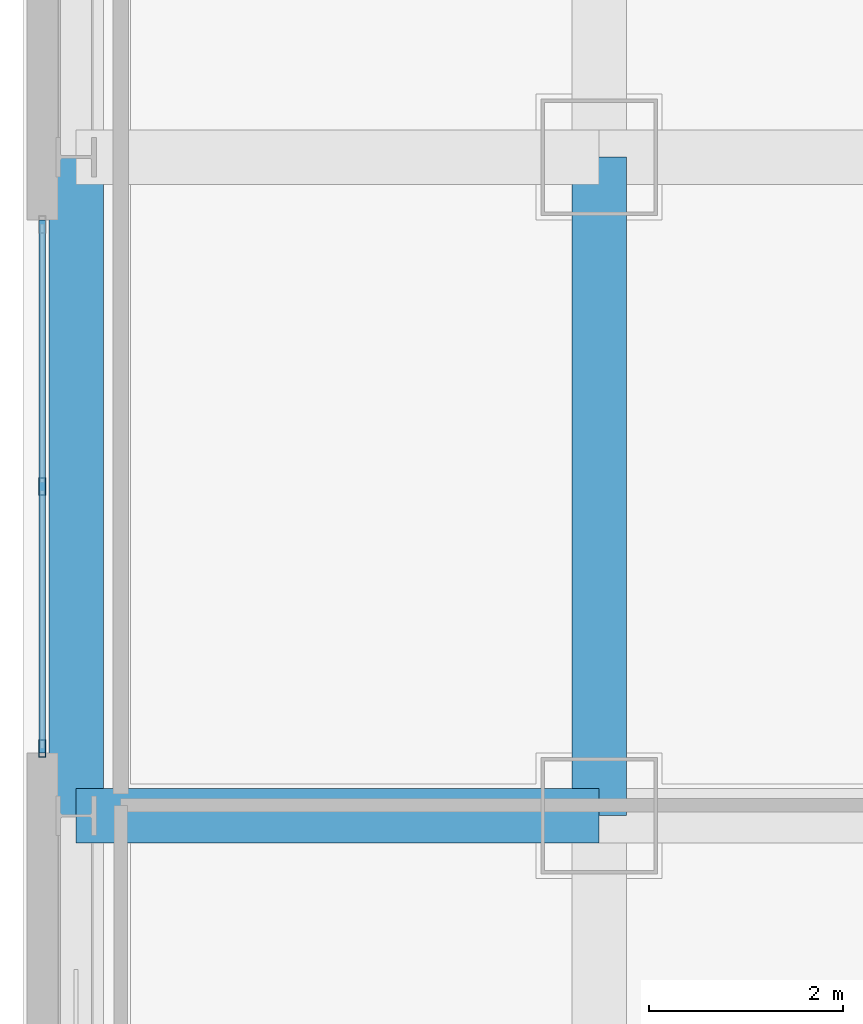
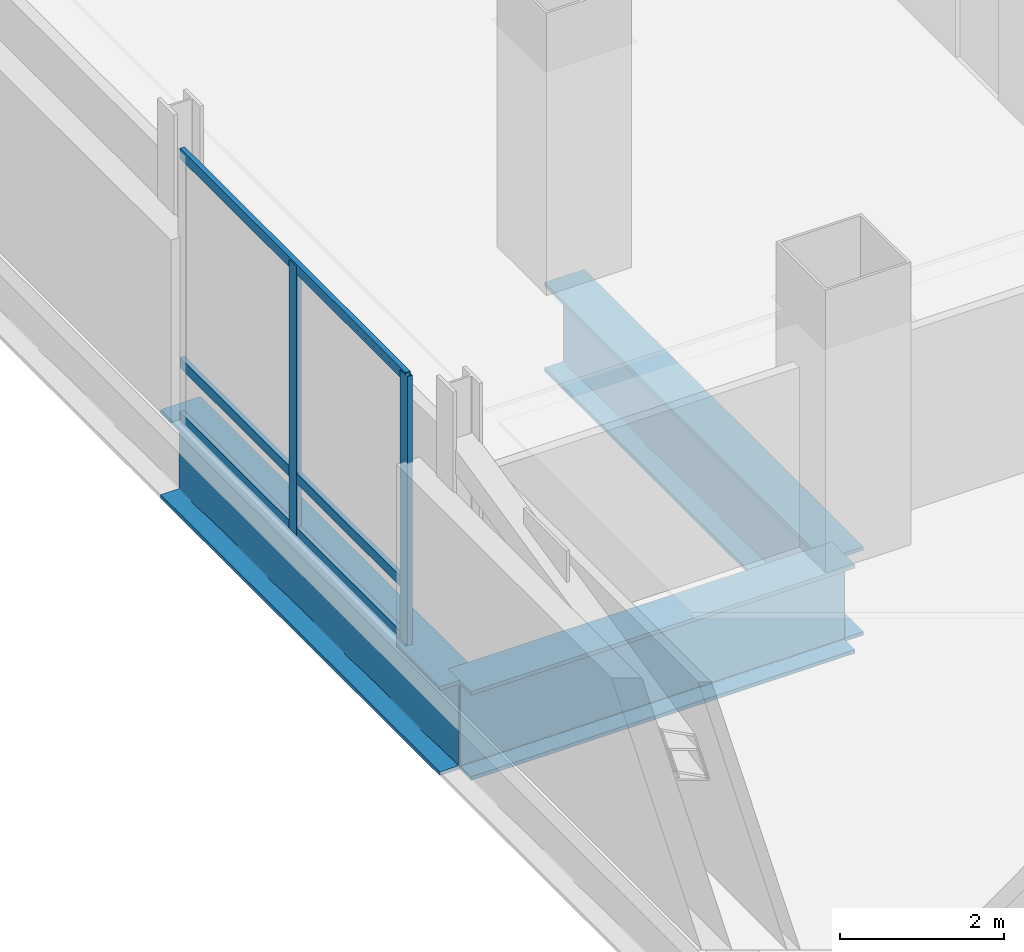
# One storey, part 3 of 28: 5 members, 3 beams, 1 element without a shape of its own.
"""IFC4 building model written with IfcOpenShell, lengths in metres."""

from ifc_helpers import new_model, si_unit, direction, frame, origin, origin_2d, place, context, subcontext, project, spatial, hollow_rectangle, i_section, extrude, material, material_profile, profile_set, type_object, element, aggregate, save


model = new_model("IFC4")

# Units and contexts
model_context = context("Model", 3, precision=1e-05, world=origin(), true_north=direction((0.0, 1.0)))
body_context = subcontext(model_context, "Body", "Model", "MODEL_VIEW")
ifc_project = project(units=[si_unit("LENGTHUNIT", "METRE"), si_unit("AREAUNIT", "SQUARE_METRE"), si_unit("VOLUMEUNIT", "CUBIC_METRE"), si_unit("PLANEANGLEUNIT", "RADIAN"), si_unit("MASSUNIT", "GRAM", prefix="KILO")], contexts=[model_context])

# Site, building, storey
site_placement = place(None, origin())
site = spatial("IfcSite", under=ifc_project, at=site_placement, CompositionType="ELEMENT")
building_placement = place(site_placement, origin())
building = spatial("IfcBuilding", under=site, at=building_placement, Name="Punatoya Terracotta Tower", CompositionType="ELEMENT")
storey_placement = place(building_placement, frame((0.0, 0.0, 317.39990234375)))
storey = spatial("IfcBuildingStorey", under=building, at=storey_placement, Name="L75", CompositionType="ELEMENT", Elevation=317.39990234375)

# Beams
ifc_material_1 = material(Name="Steel S460", Category="steel")
ifc_material_profile_1 = material_profile(ifc_material_1, i_section(OverallWidth=0.56005859375, OverallDepth=1.320068359375, WebThickness=0.035888671875, FlangeThickness=0.054931640625, FilletRadius=0.01806640625, at=origin_2d()))
ifc_profile_set_1 = profile_set([ifc_material_profile_1], Name="Steel S460")
beam_type = type_object("IfcBeamType", Name="BM-TG-BLK", PredefinedType="BEAM", material=ifc_profile_set_1)
beam_1_placement = place(storey_placement, frame((-19.10009765625, -3.39990234375, -0.93994140625), z_axis=(0.0, 1.0, 0.0), x_axis=(-1.0, 0.0, 0.0)))
element("IfcBeam", 1, at=beam_1_placement, inside=storey, type_object=beam_type, Name="BM-L75-RG-W2", PredefinedType="BEAM", context=body_context, shape_type="SweptSolid", body=[
    extrude(i_section(OverallWidth=0.56005859375, OverallDepth=1.320068359375, WebThickness=0.035888671875, FlangeThickness=0.054931640625, FilletRadius=0.01806640625, at=origin_2d()), origin(), (0.0, 0.0, 1.0), 6.7998046875),
])
beam_2_placement = place(storey_placement, frame((-24.5, -3.39990234375, -0.93994140625), z_axis=(1.0, 0.0, 0.0), x_axis=(0.0, 1.0, 0.0)))
element("IfcBeam", 2, at=beam_2_placement, inside=storey, type_object=beam_type, Name="BM-L75-CANT-W2", PredefinedType="BEAM", context=body_context, shape_type="SweptSolid", body=[
    extrude(i_section(OverallWidth=0.56005859375, OverallDepth=1.320068359375, WebThickness=0.035888671875, FlangeThickness=0.054931640625, FilletRadius=0.01806640625, at=origin_2d()), origin(), (0.0, 0.0, 1.0), 5.39990234375),
])
beam_3_placement = place(storey_placement, frame((-24.5, -3.39990234375, -0.93994140625), z_axis=(0.0, 1.0, 0.0), x_axis=(-1.0, 0.0, 0.0)))
element("IfcBeam", 3, at=beam_3_placement, inside=storey, type_object=beam_type, Name="BM-L75-PER-W2", PredefinedType="BEAM", context=body_context, shape_type="SweptSolid", body=[
    extrude(i_section(OverallWidth=0.56005859375, OverallDepth=1.320068359375, WebThickness=0.035888671875, FlangeThickness=0.054931640625, FilletRadius=0.01806640625, at=origin_2d()), origin(), (0.0, 0.0, 1.0), 6.7998046875),
])

# Curtain wall, members
ifc_material_2 = material(Name="Aluminium 6063-T6 + Double Low-E Glass", Category="aluminium")
curtain_wall_type = type_object("IfcCurtainWallType", Name="CW-OBS", PredefinedType="NOTDEFINED", material=ifc_material_2)
curtain_wall_placement = place(storey_placement, origin())
curtain_wall = element("IfcCurtainWall", 4, at=curtain_wall_placement, inside=storey, type_object=curtain_wall_type, Name="L75 Curtain Wall CW-L75-W13-1", PredefinedType="NOTDEFINED")
ifc_material_3 = material(Name="Aluminium 6063-T6", Category="aluminium")
ifc_material_profile_2 = material_profile(ifc_material_3, hollow_rectangle(XDim=0.070068359375, YDim=0.179931640625, WallThickness=0.00390625, at=origin_2d()))
ifc_profile_set_2 = profile_set([ifc_material_profile_2], Name="Aluminium 6063-T6")
member_type_1 = type_object("IfcMemberType", Name="CW-MUL-M3", PredefinedType="MULLION", material=ifc_profile_set_2)
member_1_placement = place(storey_placement, frame((-24.85009765625, 0.0, 0.0), z_axis=(0.0, 0.0, 1.0), x_axis=(1.0, 0.0, 0.0)))
member_1 = element("IfcMember", 5, at=member_1_placement, type_object=member_type_1, Name="CW-L75-W13-1 Mullion 01", PredefinedType="MULLION", context=body_context, shape_type="SweptSolid", body=[
    extrude(hollow_rectangle(XDim=0.070068359375, YDim=0.179931640625, WallThickness=0.00390625, at=origin_2d()), origin(), (0.0, 0.0, 1.0), 4.0),
])
member_2_placement = place(storey_placement, frame((-24.85009765625, -2.705078125, 0.0), z_axis=(0.0, 0.0, 1.0), x_axis=(1.0, 0.0, 0.0)))
member_2 = element("IfcMember", 6, at=member_2_placement, type_object=member_type_1, Name="CW-L75-W13-1 Mullion 02", PredefinedType="MULLION", context=body_context, shape_type="SweptSolid", body=[
    extrude(hollow_rectangle(XDim=0.070068359375, YDim=0.179931640625, WallThickness=0.00390625, at=origin_2d()), origin(), (0.0, 0.0, 1.0), 4.0),
])
ifc_material_profile_3 = material_profile(ifc_material_3, hollow_rectangle(XDim=0.068115234375, YDim=0.14990234375, WallThickness=0.00390625, at=origin_2d()))
ifc_profile_set_3 = profile_set([ifc_material_profile_3], Name="Aluminium 6063-T6")
member_type_2 = type_object("IfcMemberType", Name="CW-TRN-TYP", PredefinedType="USERDEFINED", material=ifc_profile_set_3)
member_3_placement = place(storey_placement, frame((-24.85009765625, 2.75, 0.0400390625), z_axis=(0.0, -1.0, 0.0), x_axis=(1.0, 0.0, 0.0)))
member_3 = element("IfcMember", 7, at=member_3_placement, type_object=member_type_2, Name="CW-L75-W13-1 Transom 1", ObjectType="TRANSOM", PredefinedType="USERDEFINED", context=body_context, shape_type="SweptSolid", body=[
    extrude(hollow_rectangle(XDim=0.068115234375, YDim=0.14990234375, WallThickness=0.00390625, at=origin_2d()), origin(), (0.0, 0.0, 1.0), 5.5),
])
member_4_placement = place(storey_placement, frame((-24.85009765625, 2.75, 0.85009765625), z_axis=(0.0, -1.0, 0.0), x_axis=(1.0, 0.0, 0.0)))
member_4 = element("IfcMember", 8, at=member_4_placement, type_object=member_type_2, Name="CW-L75-W13-1 Transom 2", ObjectType="TRANSOM", PredefinedType="USERDEFINED", context=body_context, shape_type="SweptSolid", body=[
    extrude(hollow_rectangle(XDim=0.068115234375, YDim=0.14990234375, WallThickness=0.00390625, at=origin_2d()), origin(), (0.0, 0.0, 1.0), 5.5),
])
member_5_placement = place(storey_placement, frame((-24.85009765625, 2.75, 3.960205078125), z_axis=(0.0, -1.0, 0.0), x_axis=(1.0, 0.0, 0.0)))
member_5 = element("IfcMember", 9, at=member_5_placement, type_object=member_type_2, Name="CW-L75-W13-1 Transom 3", ObjectType="TRANSOM", PredefinedType="USERDEFINED", context=body_context, shape_type="SweptSolid", body=[
    extrude(hollow_rectangle(XDim=0.068115234375, YDim=0.14990234375, WallThickness=0.00390625, at=origin_2d()), origin(), (0.0, 0.0, 1.0), 5.5),
])
aggregate(curtain_wall, [member_1, member_2, member_3, member_4, member_5])

save(model, "model.ifc")
